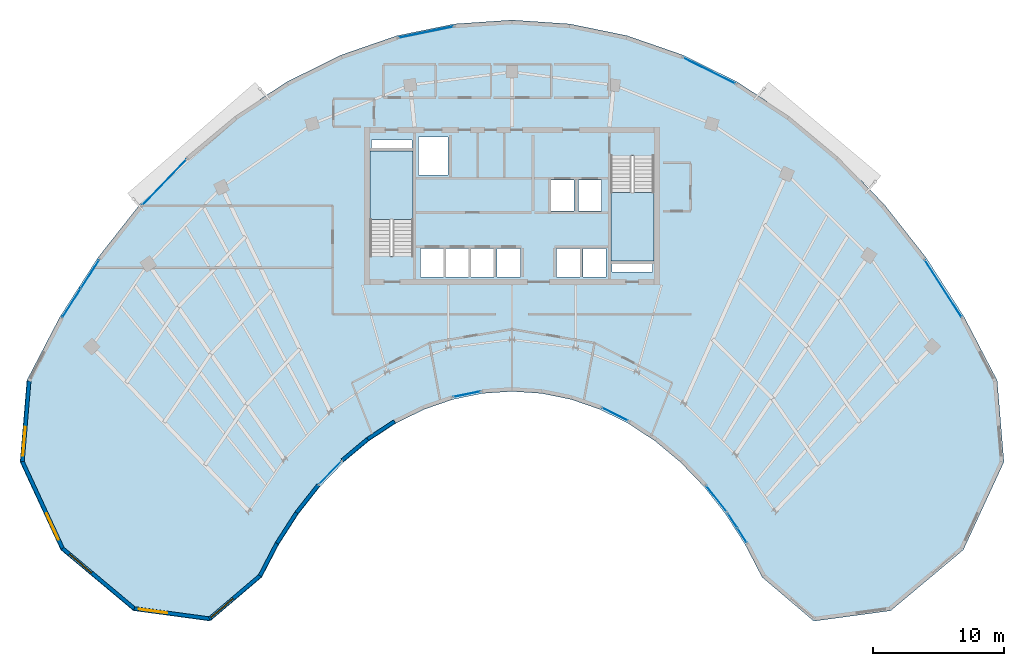
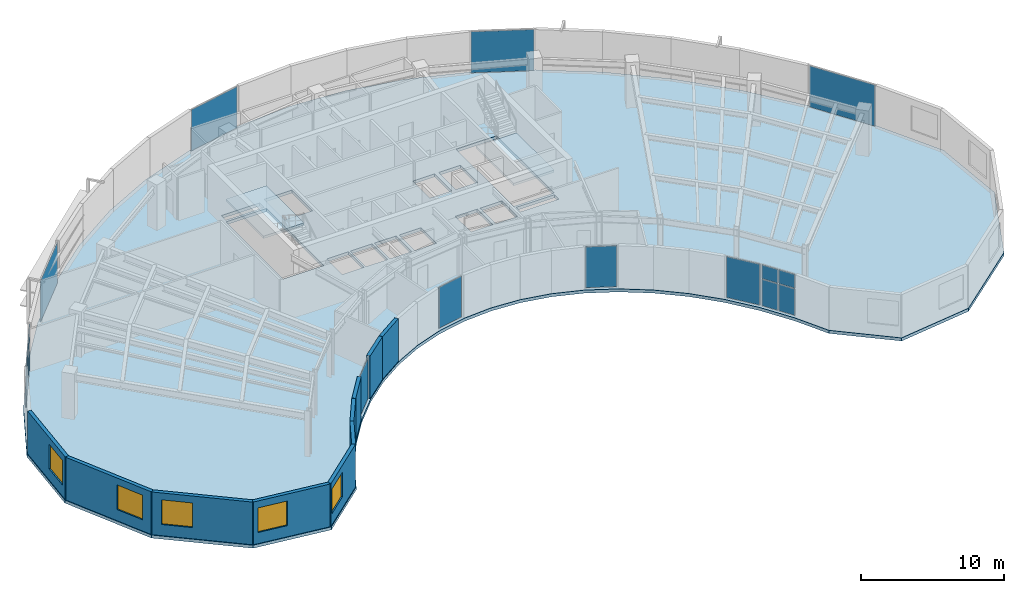
# One storey, part 7 of 14: 16 plates, 10 walls, 5 windows, 3 slabs, 5 openings, 12 elements without a shape of their own.
"""IFC4 building model written with IfcOpenShell, lengths in metres."""

from ifc_helpers import new_model, si_unit, direction, frame, frame_2d, origin, origin_2d, place, context, subcontext, project, spatial, polyline, rectangle, outline, extrude, source, transform, mapped, material, layer, layer_set, type_object, type_shapes, element, fill, aggregate, save


model = new_model("IFC4")

# Units and contexts
model_context = context("Model", 3, precision=1e-05, world=origin(), true_north=direction((0.0, 1.0)))
body_context = subcontext(model_context, "Body", "Model", "MODEL_VIEW")
ifc_project = project(units=[si_unit("LENGTHUNIT", "METRE"), si_unit("AREAUNIT", "SQUARE_METRE"), si_unit("VOLUMEUNIT", "CUBIC_METRE"), si_unit("PLANEANGLEUNIT", "RADIAN"), si_unit("MASSUNIT", "GRAM", prefix="KILO")], contexts=[model_context])

# Site, building, storey
site_placement = place(None, origin())
site = spatial("IfcSite", under=ifc_project, at=site_placement, CompositionType="ELEMENT")
building_placement = place(site_placement, origin())
building = spatial("IfcBuilding", under=site, at=building_placement, Name="Breltana Convention Tower", CompositionType="ELEMENT")
storey_placement = place(building_placement, frame((0.0, 0.0, 211.800048828125)))
storey = spatial("IfcBuildingStorey", under=building, at=storey_placement, Name="L51", CompositionType="ELEMENT", Elevation=211.800048828125)

# Stair, slab
ifc_material_1 = material(Name="Concrete C40/50", Category="concrete")
stair_type = type_object("IfcStairType", Name="ST-DOG-1560-R177", PredefinedType="HALF_TURN_STAIR", material=ifc_material_1)
stair_1_placement = place(storey_placement, origin())
stair_1 = element("IfcStair", 1, at=stair_1_placement, inside=storey, type_object=stair_type, Name="L51 Protected Core Exit Stair ST-1", PredefinedType="HALF_TURN_STAIR")
ifc_layer_1 = layer(ifc_material_1, 0.199951171875, Name="Concrete C40/50")
ifc_layer_set_1 = layer_set([ifc_layer_1], Name="Concrete C40/50")
slab_type_1 = type_object("IfcSlabType", Name="SL-STAIR-LANDING-200", PredefinedType="LANDING", material=ifc_layer_set_1)
slab_1_placement = place(storey_placement, frame((0.0, 0.0, 1.75)))
slab_1 = element("IfcSlab", 2, at=slab_1_placement, type_object=slab_type_1, Name="ST-1 landing 1", PredefinedType="LANDING", context=body_context, shape_type="SweptSolid", body=[
    extrude(outline(polyline([(40.469970703125, 65.159912109375), (40.469970703125, 70.39990234375), (37.199951171875, 70.39990234375), (37.199951171875, 65.159912109375), (40.469970703125, 65.159912109375)])), origin(), (0.0, 0.0, 1.0), 0.199951171875),
])
aggregate(stair_1, [slab_1])

stair_2_placement = place(storey_placement, origin())
stair_2 = element("IfcStair", 3, at=stair_2_placement, inside=storey, type_object=stair_type, Name="L51 Protected Core Exit Stair ST-2", PredefinedType="HALF_TURN_STAIR")
slab_2_placement = place(storey_placement, frame((0.0, 0.0, 1.75)))
slab_2 = element("IfcSlab", 4, at=slab_2_placement, type_object=slab_type_1, Name="ST-2 landing 1", PredefinedType="LANDING", context=body_context, shape_type="SweptSolid", body=[
    extrude(outline(polyline([(55.530029296875, 67.239990234375), (55.530029296875, 62.0), (58.800048828125, 62.0), (58.800048828125, 67.239990234375), (55.530029296875, 67.239990234375)])), origin(), (0.0, 0.0, 1.0), 0.199951171875),
])
aggregate(stair_2, [slab_2])

# Slab
ifc_layer_2 = layer(ifc_material_1, 0.260009765625, Name="Concrete C40/50")
ifc_layer_set_2 = layer_set([ifc_layer_2], Name="Concrete C40/50")
slab_type_2 = type_object("IfcSlabType", Name="SL-UPP-260", PredefinedType="FLOOR", material=ifc_layer_set_2)
slab_3_placement = place(storey_placement, frame((0.0, 0.0, -0.260009765625)))
element("IfcSlab", 5, at=slab_3_placement, inside=storey, type_object=slab_type_2, Name="L51 Suspended Structural Floor Slab", PredefinedType="FLOOR", context=body_context, shape_type="SweptSolid", body=[
    extrude(outline(polyline([(84.9326171875, 52.924560546875), (82.411376953125, 57.767333984375), (79.53759765625, 62.244140625), (76.34130859375, 66.308837890625), (72.8544921875, 69.919921875), (69.113525390625, 73.040283203125), (65.15625, 75.637939453125), (61.023193359375, 77.6865234375), (56.7568359375, 79.1650390625), (52.40087890625, 80.058349609375), (48.0, 80.35693359375), (43.59912109375, 80.058349609375), (39.2431640625, 79.1650390625), (34.976806640625, 77.6865234375), (30.84375, 75.637939453125), (26.886474609375, 73.040283203125), (23.1455078125, 69.919921875), (19.65869140625, 66.308837890625), (16.46240234375, 62.244140625), (13.588623046875, 57.767333984375), (11.0673828125, 52.924560546875), (10.548583984375, 46.716796875), (13.645263671875, 40.0185546875), (19.1748046875, 35.388427734375), (25.02490234375, 34.59521484375), (28.961181640625, 37.941650390625), (30.260986328125, 40.43798828125), (31.7421875, 42.745849609375), (33.39013671875, 44.84130859375), (35.1875, 46.70263671875), (37.115966796875, 48.311279296875), (39.156005859375, 49.650390625), (41.28662109375, 50.706298828125), (43.48583984375, 51.468505859375), (45.731201171875, 51.928955078125), (48.0, 52.0830078125), (50.268798828125, 51.928955078125), (52.51416015625, 51.468505859375), (54.71337890625, 50.706298828125), (56.843994140625, 49.650390625), (58.884033203125, 48.311279296875), (60.8125, 46.70263671875), (62.60986328125, 44.84130859375), (64.2578125, 42.745849609375), (65.739013671875, 40.43798828125), (67.038818359375, 37.941650390625), (70.97509765625, 34.59521484375), (76.8251953125, 35.388427734375), (82.354736328125, 40.0185546875), (85.451416015625, 46.716796875), (84.9326171875, 52.924560546875)]), holes=[polyline([(37.199951171875, 62.385009765625), (40.469970703125, 62.385009765625), (40.469970703125, 70.39990234375), (37.199951171875, 70.39990234375), (37.199951171875, 62.385009765625)]), polyline([(55.530029296875, 62.0), (58.800048828125, 62.0), (58.800048828125, 70.014892578125), (55.530029296875, 70.014892578125), (55.530029296875, 62.0)]), polyline([(41.0400390625, 60.800048828125), (42.800048828125, 60.800048828125), (42.800048828125, 62.97998046875), (41.0400390625, 62.97998046875), (41.0400390625, 60.800048828125)]), polyline([(42.93994140625, 60.800048828125), (44.699951171875, 60.800048828125), (44.699951171875, 62.97998046875), (42.93994140625, 62.97998046875), (42.93994140625, 60.800048828125)]), polyline([(44.8701171875, 60.800048828125), (46.6298828125, 60.800048828125), (46.6298828125, 62.97998046875), (44.8701171875, 62.97998046875), (44.8701171875, 60.800048828125)]), polyline([(46.8701171875, 60.800048828125), (48.6298828125, 60.800048828125), (48.6298828125, 62.97998046875), (46.8701171875, 62.97998046875), (46.8701171875, 60.800048828125)]), polyline([(51.39990234375, 60.800048828125), (53.159912109375, 60.800048828125), (53.159912109375, 62.97998046875), (51.39990234375, 62.97998046875), (51.39990234375, 60.800048828125)]), polyline([(53.39990234375, 60.800048828125), (55.159912109375, 60.800048828125), (55.159912109375, 62.97998046875), (53.39990234375, 62.97998046875), (53.39990234375, 60.800048828125)]), polyline([(50.969970703125, 65.800048828125), (52.72998046875, 65.800048828125), (52.72998046875, 68.179931640625), (50.969970703125, 68.179931640625), (50.969970703125, 65.800048828125)]), polyline([(53.070068359375, 65.800048828125), (54.830078125, 65.800048828125), (54.830078125, 68.179931640625), (53.070068359375, 68.179931640625), (53.070068359375, 65.800048828125)]), polyline([(40.8798828125, 68.550048828125), (43.1201171875, 68.550048828125), (43.1201171875, 71.449951171875), (40.8798828125, 71.449951171875), (40.8798828125, 68.550048828125)]), polyline([(37.300048828125, 70.60009765625), (40.3798828125, 70.60009765625), (40.3798828125, 71.219970703125), (37.300048828125, 71.219970703125), (37.300048828125, 70.60009765625)]), polyline([(55.6201171875, 61.179931640625), (58.699951171875, 61.179931640625), (58.699951171875, 61.800048828125), (55.6201171875, 61.800048828125), (55.6201171875, 61.179931640625)])]), origin(), (0.0, 0.0, 1.0), 0.260009765625),
])

# Curtain wall, plates
ifc_material_2 = material(Name="Aluminium Anodised Bronze Frame", Category="aluminium")
ifc_layer_3 = layer(ifc_material_2, 0.18994140625, Name="Aluminium Anodised Bronze Frame")
ifc_layer_set_3 = layer_set([ifc_layer_3], Name="Aluminium Anodised Bronze Frame")
curtain_wall_type_1 = type_object("IfcCurtainWallType", Name="CW-SYS-1", PredefinedType="NOTDEFINED", material=ifc_layer_set_3)
curtain_wall_1_placement = place(storey_placement, origin())
curtain_wall_1 = element("IfcCurtainWall", 6, at=curtain_wall_1_placement, inside=storey, type_object=curtain_wall_type_1, Name="L51 inner south-court glazing 1", PredefinedType="NOTDEFINED")
ifc_material_3 = material(Name="Glass Low-E Double Glazing", Category="glass")
ifc_layer_4 = layer(ifc_material_3, 0.028076171875, Name="Glass Low-E Double Glazing")
ifc_layer_set_4 = layer_set([ifc_layer_4], Name="Glass Low-E Double Glazing")
plate_type = type_object("IfcPlateType", Name="CWP-IGU-28", PredefinedType="CURTAIN_PANEL", material=ifc_layer_set_4)
shared_shape_1 = source(origin(), body_context, "Body", "SweptSolid", [
    extrude(rectangle(XDim=1.251220703125, YDim=0.028076171875, at=origin_2d()), origin(), (0.0, 0.0, 1.0), 2.24609375),
])
plate_1_placement = place(storey_placement, frame((65.50927734375, 41.129150390625, 0.079833984375), z_axis=(0.0, 0.0, 1.0), x_axis=(-0.540184263938, 0.841546766968, 0.0)))
plate_1 = element("IfcPlate", 7, at=plate_1_placement, type_object=plate_type, Name="CW-01 panel 1.1", PredefinedType="CURTAIN_PANEL", context=body_context, shape_type="MappedRepresentation", body=[
    mapped(shared_shape_1, transform((0.0, 0.0, 0.0), scale=1.0)),
])
plate_2_placement = place(storey_placement, frame((64.790283203125, 42.249267578125, 0.079833984375), z_axis=(0.0, 0.0, 1.0), x_axis=(-0.540184263938, 0.841546766968, 0.0)))
plate_2 = element("IfcPlate", 8, at=plate_2_placement, type_object=plate_type, Name="CW-01 panel 2.1", PredefinedType="CURTAIN_PANEL", context=body_context, shape_type="MappedRepresentation", body=[
    mapped(shared_shape_1, transform((0.0, 0.0, 0.0), scale=1.0)),
])
shared_shape_2 = source(origin(), body_context, "Body", "SweptSolid", [
    extrude(rectangle(XDim=1.251220703125, YDim=0.028076171875, at=origin_2d()), origin(), (0.0, 0.0, 1.0), 1.154052734375),
])
plate_3_placement = place(storey_placement, frame((65.50927734375, 41.129150390625, 2.40576171875), z_axis=(0.0, 0.0, 1.0), x_axis=(-0.540184263938, 0.841546766968, 0.0)))
plate_3 = element("IfcPlate", 9, at=plate_3_placement, type_object=plate_type, Name="CW-01 panel 1.2", PredefinedType="CURTAIN_PANEL", context=body_context, shape_type="MappedRepresentation", body=[
    mapped(shared_shape_2, transform((0.0, 0.0, 0.0), scale=1.0)),
])
plate_4_placement = place(storey_placement, frame((64.790283203125, 42.249267578125, 2.40576171875), z_axis=(0.0, 0.0, 1.0), x_axis=(-0.540184263938, 0.841546766968, 0.0)))
plate_4 = element("IfcPlate", 10, at=plate_4_placement, type_object=plate_type, Name="CW-01 panel 2.2", PredefinedType="CURTAIN_PANEL", context=body_context, shape_type="MappedRepresentation", body=[
    mapped(shared_shape_2, transform((0.0, 0.0, 0.0), scale=1.0)),
])
aggregate(curtain_wall_1, [plate_1, plate_3, plate_2, plate_4])

# Curtain wall, plate
curtain_wall_2_placement = place(storey_placement, origin())
curtain_wall_2 = element("IfcCurtainWall", 11, at=curtain_wall_2_placement, inside=storey, type_object=curtain_wall_type_1, Name="L51 inner south-court glazing 2", PredefinedType="NOTDEFINED")
shared_shape_3 = source(origin(), body_context, "Body", "SweptSolid", [
    extrude(rectangle(XDim=2.505615234375, YDim=0.028076171875, at=origin_2d()), origin(), (0.0, 0.0, 1.0), 3.47998046875),
])
plate_5_placement = place(storey_placement, frame((63.5751953125, 43.90478515625, 0.080078125), z_axis=(0.0, 0.0, 1.0), x_axis=(-0.6181495353, 0.786060526937, 0.0)))
plate_5 = element("IfcPlate", 12, at=plate_5_placement, type_object=plate_type, Name="CW-01 panel 1.1", PredefinedType="CURTAIN_PANEL", context=body_context, shape_type="MappedRepresentation", body=[
    mapped(shared_shape_3, transform((0.0, 0.0, 0.0), scale=1.0)),
])
aggregate(curtain_wall_2, [plate_5])

curtain_wall_3_placement = place(storey_placement, origin())
curtain_wall_3 = element("IfcCurtainWall", 13, at=curtain_wall_3_placement, inside=storey, type_object=curtain_wall_type_1, Name="L51 inner south-court glazing 3", PredefinedType="NOTDEFINED")
shared_shape_4 = source(origin(), body_context, "Body", "SweptSolid", [
    extrude(rectangle(XDim=2.2177734375, YDim=0.028076171875, at=origin_2d()), origin(), (0.0, 0.0, 1.0), 3.47998046875),
])
plate_6_placement = place(storey_placement, frame((55.858642578125, 50.339599609375, 0.080078125), z_axis=(0.0, 0.0, 1.0), x_axis=(-0.89596107102, 0.444132591932, 0.0)))
plate_6 = element("IfcPlate", 14, at=plate_6_placement, type_object=plate_type, Name="CW-01 panel 1.1", PredefinedType="CURTAIN_PANEL", context=body_context, shape_type="MappedRepresentation", body=[
    mapped(shared_shape_4, transform((0.0, 0.0, 0.0), scale=1.0)),
])
aggregate(curtain_wall_3, [plate_6])

curtain_wall_4_placement = place(storey_placement, origin())
curtain_wall_4 = element("IfcCurtainWall", 15, at=curtain_wall_4_placement, inside=storey, type_object=curtain_wall_type_1, Name="L51 inner south-court glazing 4", PredefinedType="NOTDEFINED")
shared_shape_5 = source(origin(), body_context, "Body", "SweptSolid", [
    extrude(rectangle(XDim=2.13232421875, YDim=0.028076171875, at=origin_2d()), origin(), (0.0, 0.0, 1.0), 3.47998046875),
])
plate_7_placement = place(storey_placement, frame((44.572265625, 51.875, 0.080078125), z_axis=(0.0, 0.0, 1.0), x_axis=(-0.979621192803, -0.200853973352, 0.0)))
plate_7 = element("IfcPlate", 16, at=plate_7_placement, type_object=plate_type, Name="CW-01 panel 1.1", PredefinedType="CURTAIN_PANEL", context=body_context, shape_type="MappedRepresentation", body=[
    mapped(shared_shape_5, transform((0.0, 0.0, 0.0), scale=1.0)),
])
aggregate(curtain_wall_4, [plate_7])

curtain_wall_5_placement = place(storey_placement, origin())
curtain_wall_5 = element("IfcCurtainWall", 17, at=curtain_wall_5_placement, inside=storey, type_object=curtain_wall_type_1, Name="L51 inner south-court glazing 5", PredefinedType="NOTDEFINED")
shared_shape_6 = source(origin(), body_context, "Body", "SweptSolid", [
    extrude(rectangle(XDim=2.427490234375, YDim=0.028076171875, at=origin_2d()), origin(), (0.0, 0.0, 1.0), 3.47998046875),
])
plate_8_placement = place(storey_placement, frame((34.1591796875, 45.89697265625, 0.080078125), z_axis=(0.0, 0.0, 1.0), x_axis=(-0.694631756079, -0.719365500595, 0.0)))
plate_8 = element("IfcPlate", 18, at=plate_8_placement, type_object=plate_type, Name="CW-01 panel 1.1", PredefinedType="CURTAIN_PANEL", context=body_context, shape_type="MappedRepresentation", body=[
    mapped(shared_shape_6, transform((0.0, 0.0, 0.0), scale=1.0)),
])
aggregate(curtain_wall_5, [plate_8])

# Curtain wall, plates
ifc_layer_5 = layer(ifc_material_2, 0.219970703125, Name="Aluminium Anodised Bronze Frame")
ifc_layer_set_5 = layer_set([ifc_layer_5], Name="Aluminium Anodised Bronze Frame")
curtain_wall_type_2 = type_object("IfcCurtainWallType", Name="CW-SYS-4", PredefinedType="NOTDEFINED", material=ifc_layer_set_5)
curtain_wall_6_placement = place(storey_placement, origin())
curtain_wall_6 = element("IfcCurtainWall", 19, at=curtain_wall_6_placement, inside=storey, type_object=curtain_wall_type_2, Name="L51 outer double-skin inner glazing 1", PredefinedType="NOTDEFINED")
shared_shape_7 = source(origin(), body_context, "Body", "SweptSolid", [
    extrude(rectangle(XDim=2.531494140625, YDim=0.028076171875, at=origin_2d()), origin(), (0.0, 0.0, 1.0), 2.260986328125),
])
plate_9_placement = place(storey_placement, frame((14.471435546875, 58.8095703125, 0.06982421875), z_axis=(0.0, 0.0, 1.0), x_axis=(0.540181791075, 0.84154835428, 0.0)))
plate_9 = element("IfcPlate", 20, at=plate_9_placement, type_object=plate_type, Name="CW-04 panel 1.1", PredefinedType="CURTAIN_PANEL", context=body_context, shape_type="MappedRepresentation", body=[
    mapped(shared_shape_7, transform((0.0, 0.0, 0.0), scale=1.0)),
])
plate_10_placement = place(storey_placement, frame((15.882080078125, 61.007080078125, 0.06982421875), z_axis=(0.0, 0.0, 1.0), x_axis=(0.540181791075, 0.84154835428, 0.0)))
plate_10 = element("IfcPlate", 21, at=plate_10_placement, type_object=plate_type, Name="CW-04 panel 2.1", PredefinedType="CURTAIN_PANEL", context=body_context, shape_type="MappedRepresentation", body=[
    mapped(shared_shape_7, transform((0.0, 0.0, 0.0), scale=1.0)),
])
shared_shape_8 = source(origin(), body_context, "Body", "SweptSolid", [
    extrude(rectangle(XDim=2.531494140625, YDim=0.028076171875, at=origin_2d()), origin(), (0.0, 0.0, 1.0), 1.1689453125),
])
plate_11_placement = place(storey_placement, frame((14.471435546875, 58.8095703125, 2.40087890625), z_axis=(0.0, 0.0, 1.0), x_axis=(0.540181791075, 0.84154835428, 0.0)))
plate_11 = element("IfcPlate", 22, at=plate_11_placement, type_object=plate_type, Name="CW-04 panel 1.2", PredefinedType="CURTAIN_PANEL", context=body_context, shape_type="MappedRepresentation", body=[
    mapped(shared_shape_8, transform((0.0, 0.0, 0.0), scale=1.0)),
])
plate_12_placement = place(storey_placement, frame((15.882080078125, 61.007080078125, 2.40087890625), z_axis=(0.0, 0.0, 1.0), x_axis=(0.540181791075, 0.84154835428, 0.0)))
plate_12 = element("IfcPlate", 23, at=plate_12_placement, type_object=plate_type, Name="CW-04 panel 2.2", PredefinedType="CURTAIN_PANEL", context=body_context, shape_type="MappedRepresentation", body=[
    mapped(shared_shape_8, transform((0.0, 0.0, 0.0), scale=1.0)),
])
aggregate(curtain_wall_6, [plate_9, plate_11, plate_10, plate_12])

# Curtain wall, plate
curtain_wall_7_placement = place(storey_placement, origin())
curtain_wall_7 = element("IfcCurtainWall", 24, at=curtain_wall_7_placement, inside=storey, type_object=curtain_wall_type_2, Name="L51 outer double-skin inner glazing 2", PredefinedType="NOTDEFINED")
shared_shape_9 = source(origin(), body_context, "Body", "SweptSolid", [
    extrude(rectangle(XDim=4.8408203125, YDim=0.028076171875, at=origin_2d()), origin(), (0.0, 0.0, 1.0), 3.5),
])
plate_13_placement = place(storey_placement, frame((21.53125, 67.989013671875, 0.070068359375), z_axis=(0.0, 0.0, 1.0), x_axis=(0.694599866751, 0.719396292115, 0.0)))
plate_13 = element("IfcPlate", 25, at=plate_13_placement, type_object=plate_type, Name="CW-04 panel 1.1", PredefinedType="CURTAIN_PANEL", context=body_context, shape_type="MappedRepresentation", body=[
    mapped(shared_shape_9, transform((0.0, 0.0, 0.0), scale=1.0)),
])
aggregate(curtain_wall_7, [plate_13])

curtain_wall_8_placement = place(storey_placement, origin())
curtain_wall_8 = element("IfcCurtainWall", 26, at=curtain_wall_8_placement, inside=storey, type_object=curtain_wall_type_2, Name="L51 outer double-skin inner glazing 3", PredefinedType="NOTDEFINED")
shared_shape_10 = source(origin(), body_context, "Body", "SweptSolid", [
    extrude(rectangle(XDim=4.262451171875, YDim=0.028076171875, at=origin_2d()), origin(), (0.0, 0.0, 1.0), 3.5),
])
plate_14_placement = place(storey_placement, frame((41.45703125, 79.435302734375, 0.070068359375), z_axis=(0.0, 0.0, 1.0), x_axis=(0.979615937236, 0.200879604523, 0.0)))
plate_14 = element("IfcPlate", 27, at=plate_14_placement, type_object=plate_type, Name="CW-04 panel 1.1", PredefinedType="CURTAIN_PANEL", context=body_context, shape_type="MappedRepresentation", body=[
    mapped(shared_shape_10, transform((0.0, 0.0, 0.0), scale=1.0)),
])
aggregate(curtain_wall_8, [plate_14])

curtain_wall_9_placement = place(storey_placement, origin())
curtain_wall_9 = element("IfcCurtainWall", 28, at=curtain_wall_9_placement, inside=storey, type_object=curtain_wall_type_2, Name="L51 outer double-skin inner glazing 4", PredefinedType="NOTDEFINED")
shared_shape_11 = source(origin(), body_context, "Body", "SweptSolid", [
    extrude(rectangle(XDim=4.430419921875, YDim=0.028076171875, at=origin_2d()), origin(), (0.0, 0.0, 1.0), 3.5),
])
plate_15_placement = place(storey_placement, frame((63.010009765625, 76.5009765625, 0.070068359375), z_axis=(0.0, 0.0, 1.0), x_axis=(0.895972827235, -0.444108875003, 0.0)))
plate_15 = element("IfcPlate", 29, at=plate_15_placement, type_object=plate_type, Name="CW-04 panel 1.1", PredefinedType="CURTAIN_PANEL", context=body_context, shape_type="MappedRepresentation", body=[
    mapped(shared_shape_11, transform((0.0, 0.0, 0.0), scale=1.0)),
])
aggregate(curtain_wall_9, [plate_15])

curtain_wall_10_placement = place(storey_placement, origin())
curtain_wall_10 = element("IfcCurtainWall", 30, at=curtain_wall_10_placement, inside=storey, type_object=curtain_wall_type_2, Name="L51 outer double-skin inner glazing 5", PredefinedType="NOTDEFINED")
shared_shape_12 = source(origin(), body_context, "Body", "SweptSolid", [
    extrude(rectangle(XDim=5.142822265625, YDim=0.028076171875, at=origin_2d()), origin(), (0.0, 0.0, 1.0), 3.5),
])
plate_16_placement = place(storey_placement, frame((80.8232421875, 59.908203125, 0.070068359375), z_axis=(0.0, 0.0, 1.0), x_axis=(0.540181791075, -0.84154835428, 0.0)))
plate_16 = element("IfcPlate", 31, at=plate_16_placement, type_object=plate_type, Name="CW-04 panel 1.1", PredefinedType="CURTAIN_PANEL", context=body_context, shape_type="MappedRepresentation", body=[
    mapped(shared_shape_12, transform((0.0, 0.0, 0.0), scale=1.0)),
])
aggregate(curtain_wall_10, [plate_16])

# Wall, opening, window
ifc_material_4 = material(Name="Limestone Buff Insulated Wall", Category="masonry")
ifc_layer_6 = layer(ifc_material_4, 0.280029296875, Name="Limestone Buff Insulated Wall")
ifc_layer_set_6 = layer_set([ifc_layer_6], Name="Limestone Buff Insulated Wall")
wall_type = type_object("IfcWallType", Name="WL-EXT-NOSE-280", PredefinedType="SOLIDWALL", material=ifc_layer_set_6)
shared_shape_13 = source(origin(), body_context, "Body", "SweptSolid", [
    extrude(rectangle(XDim=6.145751953125, YDim=0.280029296875, at=frame_2d((3.07275390625, 0.0))), origin(), (0.0, 0.0, 1.0), 3.639892578125),
])
wall_1_placement = place(storey_placement, frame((10.73193359375, 46.7490234375, 0.0), z_axis=(0.0, 0.0, 1.0), x_axis=(0.083301904456, 0.996524356307, 0.0)))
wall_1 = element("IfcWall", 32, at=wall_1_placement, inside=storey, type_object=wall_type, Name="L51 curved limestone nose wall W6", PredefinedType="SOLIDWALL", context=body_context, shape_type="MappedRepresentation", body=[
    mapped(shared_shape_13, transform((0.0, 0.0, 0.0), scale=1.0)),
])
opening_1_placement = place(wall_1_placement, frame((0.436279296875, 0.0, 0.949951171875)))
opening_1 = element("IfcOpeningElement", 33, at=opening_1_placement, cuts=wall_1, Name="Opening W-03", PredefinedType="OPENING", context=body_context, shape_type="SweptSolid", body=[
    extrude(rectangle(XDim=2.199951171875, YDim=2.10009765625, at=frame_2d((1.10009765625, 1.050048828125))), frame((0.0, 0.14990234375, 0.0), z_axis=(0.0, -1.0, 0.0), x_axis=(1.0, 0.0, 0.0)), (0.0, 0.0, 1.0), 0.300048828125),
])
ifc_material_5 = material(Name="Glass Low-E Insulated Window", Category="glass")
window_type = type_object("IfcWindowType", Name="WN-NOSE-2200X2100", PartitioningType="TRIPLE_PANEL_VERTICAL", PredefinedType="WINDOW", material=ifc_material_5)
shared_shape_14 = source(origin(), body_context, "Body", "SweptSolid", [
    extrude(rectangle(XDim=2.199951171875, YDim=2.10009765625, at=frame_2d((1.10009765625, 1.050048828125))), frame((0.0, 0.030029296875, 0.0), z_axis=(0.0, -1.0, 0.0), x_axis=(1.0, 0.0, 0.0)), (0.0, 0.0, 1.0), 0.06005859375),
])
type_shapes(window_type, [shared_shape_14])
window_1_placement = place(opening_1_placement, origin())
window_1 = element("IfcWindow", 34, at=window_1_placement, inside=storey, type_object=window_type, Name="L51 nose window W6", OverallHeight=2.10009765625, OverallWidth=2.199951171875, PartitioningType="TRIPLE_PANEL_VERTICAL", PredefinedType="WINDOW", context=body_context, shape_type="MappedRepresentation", body=[
    mapped(shared_shape_14, transform((0.0, 0.0, 0.0), scale=1.0)),
])
fill(opening_1, window_1)

shared_shape_15 = source(origin(), body_context, "Body", "SweptSolid", [
    extrude(rectangle(XDim=7.29150390625, YDim=0.280029296875, at=frame_2d((3.645751953125, 0.0))), origin(), (0.0, 0.0, 1.0), 3.639892578125),
])
wall_2_placement = place(storey_placement, frame((13.791748046875, 40.130615234375, 0.0), z_axis=(0.0, 0.0, 1.0), x_axis=(-0.419642001049, 0.907689699708, 0.0)))
wall_2 = element("IfcWall", 35, at=wall_2_placement, inside=storey, type_object=wall_type, Name="L51 curved limestone nose wall W5", PredefinedType="SOLIDWALL", context=body_context, shape_type="MappedRepresentation", body=[
    mapped(shared_shape_15, transform((0.0, 0.0, 0.0), scale=1.0)),
])
opening_2_placement = place(wall_2_placement, frame((0.722900390625, 0.0, 0.949951171875)))
opening_2 = element("IfcOpeningElement", 36, at=opening_2_placement, cuts=wall_2, Name="Opening W-03", PredefinedType="OPENING", context=body_context, shape_type="SweptSolid", body=[
    extrude(rectangle(XDim=2.199951171875, YDim=2.10009765625, at=frame_2d((1.10009765625, 1.050048828125))), frame((0.0, 0.14990234375, 0.0), z_axis=(0.0, -1.0, 0.0), x_axis=(1.0, 0.0, 0.0)), (0.0, 0.0, 1.0), 0.300048828125),
])
window_2_placement = place(opening_2_placement, origin())
window_2 = element("IfcWindow", 37, at=window_2_placement, inside=storey, type_object=window_type, Name="L51 nose window W5", OverallHeight=2.10009765625, OverallWidth=2.199951171875, PartitioningType="TRIPLE_PANEL_VERTICAL", PredefinedType="WINDOW", context=body_context, shape_type="MappedRepresentation", body=[
    mapped(shared_shape_14, transform((0.0, 0.0, 0.0), scale=1.0)),
])
fill(opening_2, window_2)

shared_shape_16 = source(origin(), body_context, "Body", "SweptSolid", [
    extrude(rectangle(XDim=7.11962890625, YDim=0.280029296875, at=frame_2d((3.559814453125, 0.0))), origin(), (0.0, 0.0, 1.0), 3.639892578125),
])
wall_3_placement = place(storey_placement, frame((19.25048828125, 35.559814453125, 0.0), z_axis=(0.0, 0.0, 1.0), x_axis=(-0.766709783564, 0.641993853387, 0.0)))
wall_3 = element("IfcWall", 38, at=wall_3_placement, inside=storey, type_object=wall_type, Name="L51 curved limestone nose wall W4", PredefinedType="SOLIDWALL", context=body_context, shape_type="MappedRepresentation", body=[
    mapped(shared_shape_16, transform((0.0, 0.0, 0.0), scale=1.0)),
])
opening_3_placement = place(wall_3_placement, frame((4.23974609375, 0.0, 0.949951171875)))
opening_3 = element("IfcOpeningElement", 39, at=opening_3_placement, cuts=wall_3, Name="Opening W-03", PredefinedType="OPENING", context=body_context, shape_type="SweptSolid", body=[
    extrude(rectangle(XDim=2.199951171875, YDim=2.10009765625, at=frame_2d((1.10009765625, 1.050048828125))), frame((0.0, 0.14990234375, 0.0), z_axis=(0.0, -1.0, 0.0), x_axis=(1.0, 0.0, 0.0)), (0.0, 0.0, 1.0), 0.300048828125),
])
window_3_placement = place(opening_3_placement, origin())
window_3 = element("IfcWindow", 40, at=window_3_placement, inside=storey, type_object=window_type, Name="L51 nose window W4", OverallHeight=2.10009765625, OverallWidth=2.199951171875, PartitioningType="TRIPLE_PANEL_VERTICAL", PredefinedType="WINDOW", context=body_context, shape_type="MappedRepresentation", body=[
    mapped(shared_shape_14, transform((0.0, 0.0, 0.0), scale=1.0)),
])
fill(opening_3, window_3)

shared_shape_17 = source(origin(), body_context, "Body", "SweptSolid", [
    extrude(rectangle(XDim=5.771240234375, YDim=0.280029296875, at=frame_2d((2.8857421875, 0.0))), origin(), (0.0, 0.0, 1.0), 3.639892578125),
])
wall_4_placement = place(storey_placement, frame((24.969482421875, 34.784423828125, 0.0), z_axis=(0.0, 0.0, 1.0), x_axis=(-0.990933615537, 0.134352408237, 0.0)))
wall_4 = element("IfcWall", 41, at=wall_4_placement, inside=storey, type_object=wall_type, Name="L51 curved limestone nose wall W3", PredefinedType="SOLIDWALL", context=body_context, shape_type="MappedRepresentation", body=[
    mapped(shared_shape_17, transform((0.0, 0.0, 0.0), scale=1.0)),
])
opening_4_placement = place(wall_4_placement, frame((3.228759765625, 0.0, 0.949951171875)))
opening_4 = element("IfcOpeningElement", 42, at=opening_4_placement, cuts=wall_4, Name="Opening W-03", PredefinedType="OPENING", context=body_context, shape_type="SweptSolid", body=[
    extrude(rectangle(XDim=2.199951171875, YDim=2.10009765625, at=frame_2d((1.10009765625, 1.050048828125))), frame((0.0, 0.14990234375, 0.0), z_axis=(0.0, -1.0, 0.0), x_axis=(1.0, 0.0, 0.0)), (0.0, 0.0, 1.0), 0.300048828125),
])
window_4_placement = place(opening_4_placement, origin())
window_4 = element("IfcWindow", 43, at=window_4_placement, inside=storey, type_object=window_type, Name="L51 nose window W3", OverallHeight=2.10009765625, OverallWidth=2.199951171875, PartitioningType="TRIPLE_PANEL_VERTICAL", PredefinedType="WINDOW", context=body_context, shape_type="MappedRepresentation", body=[
    mapped(shared_shape_14, transform((0.0, 0.0, 0.0), scale=1.0)),
])
fill(opening_4, window_4)

shared_shape_18 = source(origin(), body_context, "Body", "SweptSolid", [
    extrude(rectangle(XDim=5.051025390625, YDim=0.280029296875, at=frame_2d((2.525390625, 0.0))), origin(), (0.0, 0.0, 1.0), 3.639892578125),
])
wall_5_placement = place(storey_placement, frame((28.81787109375, 38.055908203125, 0.0), z_axis=(0.0, 0.0, 1.0), x_axis=(-0.761904731537, -0.647689107568, 0.0)))
wall_5 = element("IfcWall", 44, at=wall_5_placement, inside=storey, type_object=wall_type, Name="L51 curved limestone nose wall W2", PredefinedType="SOLIDWALL", context=body_context, shape_type="MappedRepresentation", body=[
    mapped(shared_shape_18, transform((0.0, 0.0, 0.0), scale=1.0)),
])
opening_5_placement = place(wall_5_placement, frame((2.688232421875, 0.0, 0.949951171875)))
opening_5 = element("IfcOpeningElement", 45, at=opening_5_placement, cuts=wall_5, Name="Opening W-03", PredefinedType="OPENING", context=body_context, shape_type="SweptSolid", body=[
    extrude(rectangle(XDim=2.199951171875, YDim=2.10009765625, at=frame_2d((1.10009765625, 1.050048828125))), frame((0.0, 0.14990234375, 0.0), z_axis=(0.0, -1.0, 0.0), x_axis=(1.0, 0.0, 0.0)), (0.0, 0.0, 1.0), 0.300048828125),
])
window_5_placement = place(opening_5_placement, origin())
window_5 = element("IfcWindow", 46, at=window_5_placement, inside=storey, type_object=window_type, Name="L51 nose window W2", OverallHeight=2.10009765625, OverallWidth=2.199951171875, PartitioningType="TRIPLE_PANEL_VERTICAL", PredefinedType="WINDOW", context=body_context, shape_type="MappedRepresentation", body=[
    mapped(shared_shape_14, transform((0.0, 0.0, 0.0), scale=1.0)),
])
fill(opening_5, window_5)

# Walls
shared_shape_19 = source(origin(), body_context, "Body", "SweptSolid", [
    extrude(rectangle(XDim=2.779296875, YDim=0.280029296875, at=frame_2d((1.3896484375, 0.0))), origin(), (0.0, 0.0, 1.0), 3.639892578125),
])
wall_6_placement = place(storey_placement, frame((30.101318359375, 40.521240234375, 0.0), z_axis=(0.0, 0.0, 1.0), x_axis=(-0.461770308601, -0.886999538948, 0.0)))
element("IfcWall", 47, at=wall_6_placement, inside=storey, type_object=wall_type, Name="L51 curved limestone nose wall W1", PredefinedType="SOLIDWALL", context=body_context, shape_type="MappedRepresentation", body=[
    mapped(shared_shape_19, transform((0.0, 0.0, 0.0), scale=1.0)),
])
shared_shape_20 = source(origin(), body_context, "Body", "SweptSolid", [
    extrude(rectangle(XDim=2.51123046875, YDim=0.280029296875, at=frame_2d((1.255615234375, 0.0))), origin(), (0.0, 0.0, 1.0), 3.639892578125),
])
wall_7_placement = place(storey_placement, frame((37.000732421875, 48.449462890625, 0.0), z_axis=(0.0, 0.0, 1.0), x_axis=(-0.767910416122, -0.640557251782, 0.0)))
element("IfcWall", 48, at=wall_7_placement, inside=storey, type_object=wall_type, Name="L51 curved limestone nose wall E17", PredefinedType="SOLIDWALL", context=body_context, shape_type="MappedRepresentation", body=[
    mapped(shared_shape_20, transform((0.0, 0.0, 0.0), scale=1.0)),
])
shared_shape_21 = source(origin(), body_context, "Body", "SweptSolid", [
    extrude(rectangle(XDim=2.440185546875, YDim=0.280029296875, at=frame_2d((1.22021484375, 0.0))), origin(), (0.0, 0.0, 1.0), 3.639892578125),
])
wall_8_placement = place(storey_placement, frame((39.05712890625, 49.80078125, 0.0), z_axis=(0.0, 0.0, 1.0), x_axis=(-0.83598480459, -0.548752591333, 0.0)))
element("IfcWall", 49, at=wall_8_placement, inside=storey, type_object=wall_type, Name="L51 curved limestone nose wall E16", PredefinedType="SOLIDWALL", context=body_context, shape_type="MappedRepresentation", body=[
    mapped(shared_shape_21, transform((0.0, 0.0, 0.0), scale=1.0)),
])
shared_shape_22 = source(origin(), body_context, "Body", "SweptSolid", [
    extrude(rectangle(XDim=2.66552734375, YDim=0.280029296875, at=frame_2d((1.332763671875, 0.0))), origin(), (0.0, 0.0, 1.0), 3.639892578125),
])
wall_9_placement = place(storey_placement, frame((33.24853515625, 44.952392578125, 0.0), z_axis=(0.0, 0.0, 1.0), x_axis=(-0.618161284122, -0.786051287648, 0.0)))
element("IfcWall", 50, at=wall_9_placement, inside=storey, type_object=wall_type, Name="L51 curved limestone nose wall E18", PredefinedType="SOLIDWALL", context=body_context, shape_type="MappedRepresentation", body=[
    mapped(shared_shape_22, transform((0.0, 0.0, 0.0), scale=1.0)),
])
shared_shape_23 = source(origin(), body_context, "Body", "SweptSolid", [
    extrude(rectangle(XDim=2.7421875, YDim=0.280029296875, at=frame_2d((1.37109375, 0.0))), origin(), (0.0, 0.0, 1.0), 3.639892578125),
])
wall_10_placement = place(storey_placement, frame((31.5908203125, 42.843017578125, 0.0), z_axis=(0.0, 0.0, 1.0), x_axis=(-0.540172468355, -0.841554338371, 0.0)))
element("IfcWall", 51, at=wall_10_placement, inside=storey, type_object=wall_type, Name="L51 curved limestone nose wall E19", PredefinedType="SOLIDWALL", context=body_context, shape_type="MappedRepresentation", body=[
    mapped(shared_shape_23, transform((0.0, 0.0, 0.0), scale=1.0)),
])

save(model, "model.ifc")
